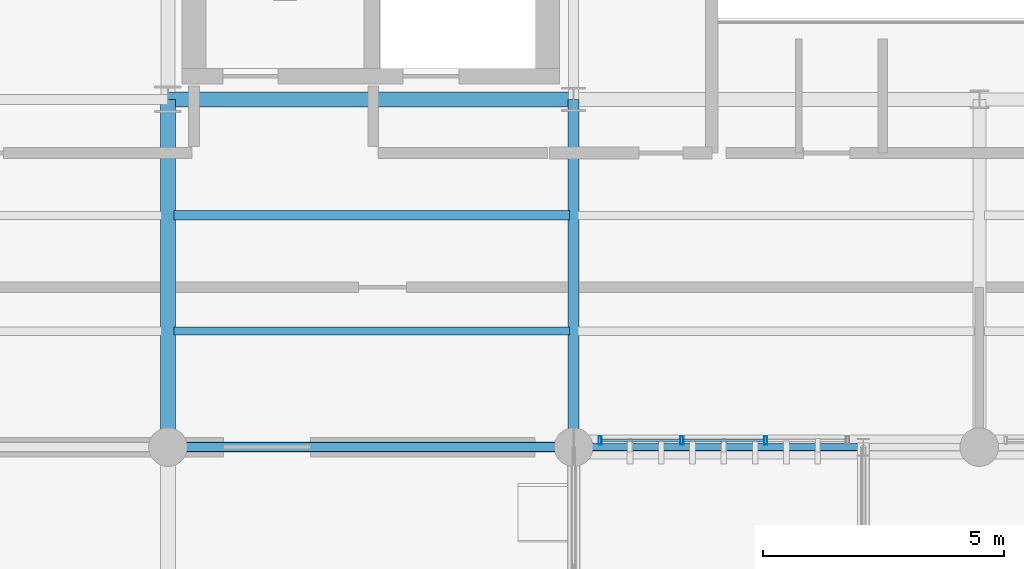
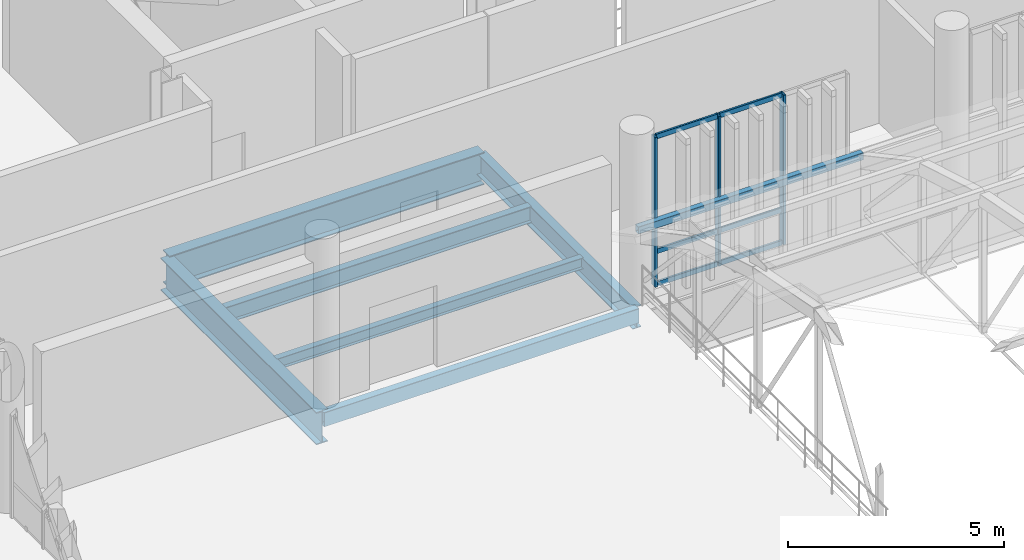
# One storey, part 38 of 109: 10 members, 6 beams, 1 element without a shape of its own.
"""IFC4 building model written with IfcOpenShell, lengths in metres."""

from ifc_helpers import new_model, si_unit, direction, frame, origin_with_axes, origin_2d_with_axis, place, context, subcontext, project, spatial, hollow_rectangle, i_section, extrude, material, material_profile, profile_set, type_object, element, aggregate, save


model = new_model("IFC4")

# Units and contexts
model_context = context("Model", 3, precision=1e-05, world=origin_with_axes(), true_north=direction((0.0, 1.0)))
body_context = subcontext(model_context, "Body", "Model", "MODEL_VIEW")
ifc_project = project(units=[si_unit("LENGTHUNIT", "METRE"), si_unit("AREAUNIT", "SQUARE_METRE"), si_unit("VOLUMEUNIT", "CUBIC_METRE"), si_unit("PLANEANGLEUNIT", "RADIAN"), si_unit("MASSUNIT", "GRAM", prefix="KILO"), si_unit("THERMODYNAMICTEMPERATUREUNIT", "KELVIN")], contexts=[model_context])

# Site, building, storey
site_placement = place(None, origin_with_axes())
site = spatial("IfcSite", under=ifc_project, at=site_placement, CompositionType="ELEMENT")
building_placement = place(site_placement, origin_with_axes())
building = spatial("IfcBuilding", under=site, at=building_placement, Name="Montbau Bow Law Courts", CompositionType="ELEMENT")
storey_placement = place(building_placement, frame((0.0, 0.0, 10.8), z_axis=(0.0, 0.0, 1.0), x_axis=(1.0, 0.0, 0.0)))
storey = spatial("IfcBuildingStorey", under=building, at=storey_placement, Name="L02", CompositionType="ELEMENT", Elevation=10.8)

# Beams
ifc_material_1 = material(Name="Steel CSA G40.21 Grade 350W (350 MPa)", Category="steel")
ifc_material_profile_1 = material_profile(ifc_material_1, i_section(OverallWidth=0.306, OverallDepth=0.919, WebThickness=0.0173, FlangeThickness=0.0279, at=origin_2d_with_axis()), Name="W920X253", Category="Main", Priority=0)
ifc_profile_set_1 = profile_set([ifc_material_profile_1], Name="Steel CSA G40.21 Grade 350W (350 MPa)")
beam_type_1 = type_object("IfcBeamType", Name="B-FLR-01", PredefinedType="BEAM", material=ifc_profile_set_1)
beam_1_placement = place(None, frame((55.2, 46.2, 10.101), z_axis=(1.0, 0.0, 0.0), x_axis=(0.0, 1.0, 0.0)))
element("IfcBeam", 1, at=beam_1_placement, inside=storey, type_object=beam_type_1, Name="BM-L02-S0840:bm2_0843", PredefinedType="BEAM", context=body_context, shape_type="SweptSolid", body=[
    extrude(i_section(OverallWidth=0.306, OverallDepth=0.919, WebThickness=0.0173, FlangeThickness=0.0279, at=origin_2d_with_axis()), origin_with_axes(), (0.0, 0.0, 1.0), 8.4),
])
beam_2_placement = place(None, frame((55.2, 39.0, 10.021), z_axis=(0.0, 1.0, 0.0), x_axis=(-1.0, 0.0, 0.0)))
element("IfcBeam", 2, at=beam_2_placement, inside=storey, type_object=beam_type_1, Name="BM-L02-S0858:bm2_0861", PredefinedType="BEAM", context=body_context, shape_type="SweptSolid", body=[
    extrude(i_section(OverallWidth=0.306, OverallDepth=0.919, WebThickness=0.0173, FlangeThickness=0.0279, at=origin_2d_with_axis()), origin_with_axes(), (0.0, 0.0, 1.0), 7.2),
])
ifc_material_profile_2 = material_profile(ifc_material_1, i_section(OverallWidth=0.229, OverallDepth=0.612, WebThickness=0.0119, FlangeThickness=0.0196, at=origin_2d_with_axis()), Name="W610X125", Category="Main", Priority=0)
ifc_profile_set_2 = profile_set([ifc_material_profile_2], Name="Steel CSA G40.21 Grade 350W (350 MPa)")
beam_type_2 = type_object("IfcBeamType", Name="B-FLR-05", PredefinedType="BEAM", material=ifc_profile_set_2)
beam_3_placement = place(None, frame((63.6, 39.0, 10.174), z_axis=(0.0, 1.0, 0.0), x_axis=(-1.0, 0.0, 0.0)))
element("IfcBeam", 3, at=beam_3_placement, inside=storey, type_object=beam_type_2, Name="BM-L02-S0861:bm2_0864", PredefinedType="BEAM", context=body_context, shape_type="SweptSolid", body=[
    extrude(i_section(OverallWidth=0.229, OverallDepth=0.612, WebThickness=0.0119, FlangeThickness=0.0196, at=origin_2d_with_axis()), origin_with_axes(), (0.0, 0.0, 1.0), 7.2),
])
ifc_material_profile_3 = material_profile(ifc_material_1, i_section(OverallWidth=0.191, OverallDepth=0.46, WebThickness=0.0099, FlangeThickness=0.016, at=origin_2d_with_axis()), Name="W460X82", Category="Main", Priority=0)
ifc_profile_set_3 = profile_set([ifc_material_profile_3], Name="Steel CSA G40.21 Grade 350W (350 MPa)")
beam_type_3 = type_object("IfcBeamType", Name="B-JST-01", PredefinedType="JOIST", material=ifc_profile_set_3)
beam_4_placement = place(None, frame((55.329, 43.8, 10.25), z_axis=(1.0, 0.0, 0.0), x_axis=(0.0, 1.0, 0.0)))
element("IfcBeam", 4, at=beam_4_placement, inside=storey, type_object=beam_type_3, Name="JST-L02-S0440:jst2_0440", PredefinedType="JOIST", context=body_context, shape_type="SweptSolid", body=[
    extrude(i_section(OverallWidth=0.191, OverallDepth=0.46, WebThickness=0.0099, FlangeThickness=0.016, at=origin_2d_with_axis()), origin_with_axes(), (0.0, 0.0, 1.0), 8.181),
])
ifc_material_profile_4 = material_profile(ifc_material_1, i_section(OverallWidth=0.166, OverallDepth=0.313, WebThickness=0.0066, FlangeThickness=0.0112, at=origin_2d_with_axis()), Name="W310X45", Category="Main", Priority=0)
ifc_profile_set_4 = profile_set([ifc_material_profile_4], Name="Steel CSA G40.21 Grade 350W (350 MPa)")
beam_type_4 = type_object("IfcBeamType", Name="B-JST-04", PredefinedType="JOIST", material=ifc_profile_set_4)
beam_5_placement = place(None, frame((55.329, 41.4, 10.324), z_axis=(1.0, 0.0, 0.0), x_axis=(0.0, 1.0, 0.0)))
element("IfcBeam", 5, at=beam_5_placement, inside=storey, type_object=beam_type_4, Name="JST-L02-S0439:jst2_0439", PredefinedType="JOIST", context=body_context, shape_type="SweptSolid", body=[
    extrude(i_section(OverallWidth=0.166, OverallDepth=0.313, WebThickness=0.0066, FlangeThickness=0.0112, at=origin_2d_with_axis()), origin_with_axes(), (0.0, 0.0, 1.0), 8.181),
])
ifc_material_2 = material(Name="Steel CSA G40.21 Grade 350WT (350 MPa)", Category="steel")
ifc_material_profile_5 = material_profile(ifc_material_2, hollow_rectangle(XDim=0.203, YDim=0.406, WallThickness=0.0127, InnerFilletRadius=0.0254, OuterFilletRadius=0.0127, at=origin_2d_with_axis()), Name="HSS406X203X13", Category="Main", Priority=0)
ifc_profile_set_5 = profile_set([ifc_material_profile_5], Name="Steel CSA G40.21 Grade 350WT (350 MPa)")
beam_type_5 = type_object("IfcBeamType", Name="B-SPN-01", PredefinedType="SPANDREL", material=ifc_profile_set_5)
beam_6_placement = place(None, frame((55.2, 39.0, 10.277), z_axis=(1.0, 0.0, 0.0), x_axis=(0.0, 1.0, 0.0)))
element("IfcBeam", 6, at=beam_6_placement, inside=storey, type_object=beam_type_5, Name="SPN-L02-S0471:bm2_0474", PredefinedType="SPANDREL", context=body_context, shape_type="SweptSolid", body=[
    extrude(hollow_rectangle(XDim=0.203, YDim=0.406, WallThickness=0.0127, InnerFilletRadius=0.0254, OuterFilletRadius=0.0127, at=origin_2d_with_axis()), origin_with_axes(), (0.0, 0.0, 1.0), 8.4),
])

# Curtain wall, members
ifc_material_3 = material(Name="Thermally Broken Extruded Aluminium AA 6063-T6", Category="aluminium")
curtain_wall_type = type_object("IfcCurtainWallType", Name="CW-CRM-01", PredefinedType="NOTDEFINED", material=ifc_material_3)
curtain_wall_placement = place(None, frame((64.115, 39.14, 10.8), z_axis=(0.0, 0.0, 1.0), x_axis=(1.0, 0.0, 0.0)))
curtain_wall = element("IfcCurtainWall", 7, at=curtain_wall_placement, inside=storey, type_object=curtain_wall_type, Name="CW-L02-157:cw_0157", PredefinedType="NOTDEFINED")
ifc_material_profile_6 = material_profile(ifc_material_3, hollow_rectangle(XDim=0.065, YDim=0.18, WallThickness=0.005, InnerFilletRadius=0.01, OuterFilletRadius=0.005, at=origin_2d_with_axis()), Name="CWM-180X65", Category="Main", Priority=0)
ifc_profile_set_6 = profile_set([ifc_material_profile_6], Name="Thermally Broken Extruded Aluminium AA 6063-T6")
member_type_1 = type_object("IfcMemberType", Name="M-MUL-02", PredefinedType="MULLION", material=ifc_profile_set_6)
member_1_placement = place(None, frame((64.148, 39.14, 10.8), z_axis=(0.0, 0.0, 1.0), x_axis=(1.0, 0.0, 0.0)))
member_1 = element("IfcMember", 8, at=member_1_placement, type_object=member_type_1, Name="CW-L02-157-M01:cw_0157_M01", PredefinedType="MULLION", context=body_context, shape_type="SweptSolid", body=[
    extrude(hollow_rectangle(XDim=0.065, YDim=0.18, WallThickness=0.005, InnerFilletRadius=0.01, OuterFilletRadius=0.005, at=origin_2d_with_axis()), origin_with_axes(), (0.0, 0.0, 1.0), 4.22),
])
member_2_placement = place(None, frame((65.844, 39.14, 10.8), z_axis=(0.0, 0.0, 1.0), x_axis=(1.0, 0.0, 0.0)))
member_2 = element("IfcMember", 9, at=member_2_placement, type_object=member_type_1, Name="CW-L02-157-M02:cw_0157_M02", PredefinedType="MULLION", context=body_context, shape_type="SweptSolid", body=[
    extrude(hollow_rectangle(XDim=0.065, YDim=0.18, WallThickness=0.005, InnerFilletRadius=0.01, OuterFilletRadius=0.005, at=origin_2d_with_axis()), origin_with_axes(), (0.0, 0.0, 1.0), 4.22),
])
member_3_placement = place(None, frame((67.574, 39.14, 10.8), z_axis=(0.0, 0.0, 1.0), x_axis=(1.0, 0.0, 0.0)))
member_3 = element("IfcMember", 10, at=member_3_placement, type_object=member_type_1, Name="CW-L02-157-M03:cw_0157_M03", PredefinedType="MULLION", context=body_context, shape_type="SweptSolid", body=[
    extrude(hollow_rectangle(XDim=0.065, YDim=0.18, WallThickness=0.005, InnerFilletRadius=0.01, OuterFilletRadius=0.005, at=origin_2d_with_axis()), origin_with_axes(), (0.0, 0.0, 1.0), 4.22),
])

# Member
ifc_material_profile_7 = material_profile(ifc_material_2, hollow_rectangle(XDim=0.152, YDim=0.203, WallThickness=0.0095, InnerFilletRadius=0.019, OuterFilletRadius=0.0095, at=origin_2d_with_axis()), Name="HSS203X152X9.5", Category="Main", Priority=0)
ifc_profile_set_7 = profile_set([ifc_material_profile_7], Name="Steel CSA G40.21 Grade 350WT (350 MPa)")
member_type_2 = type_object("IfcMemberType", Name="M-PUR-01", PredefinedType="PURLIN", material=ifc_profile_set_7)
member_4_placement = place(None, frame((63.6, 39.0, 12.658), z_axis=(1.0, 0.0, 0.0), x_axis=(0.0, 1.0, 0.0)))
element("IfcMember", 11, at=member_4_placement, inside=storey, type_object=member_type_2, Name="Barrel vault roof truss purlin V4-056", PredefinedType="PURLIN", context=body_context, shape_type="SweptSolid", body=[
    extrude(hollow_rectangle(XDim=0.152, YDim=0.203, WallThickness=0.0095, InnerFilletRadius=0.019, OuterFilletRadius=0.0095, at=origin_2d_with_axis()), origin_with_axes(), (0.0, 0.0, 1.0), 6.0),
])

ifc_material_profile_8 = material_profile(ifc_material_3, hollow_rectangle(XDim=0.055, YDim=0.14, WallThickness=0.004, InnerFilletRadius=0.008, OuterFilletRadius=0.004, at=origin_2d_with_axis()), Name="CWT-140X55", Category="Main", Priority=0)
ifc_profile_set_8 = profile_set([ifc_material_profile_8], Name="Thermally Broken Extruded Aluminium AA 6063-T6")
member_type_3 = type_object("IfcMemberType", Name="M-TRN-02", PredefinedType="USERDEFINED", material=ifc_profile_set_8)
member_5_placement = place(None, frame((64.183, 39.14, 10.828), z_axis=(1.0, 0.0, 0.0), x_axis=(0.0, 1.0, 0.0)))
member_5 = element("IfcMember", 12, at=member_5_placement, type_object=member_type_3, Name="CW-L02-157-T01-1:cw_0157_T01_1", ObjectType="TRANSOM", PredefinedType="USERDEFINED", context=body_context, shape_type="SweptSolid", body=[
    extrude(hollow_rectangle(XDim=0.055, YDim=0.14, WallThickness=0.004, InnerFilletRadius=0.008, OuterFilletRadius=0.004, at=origin_2d_with_axis()), origin_with_axes(), (0.0, 0.0, 1.0), 1.627),
])

member_6_placement = place(None, frame((64.183, 39.14, 11.75), z_axis=(1.0, 0.0, 0.0), x_axis=(0.0, 1.0, 0.0)))
member_6 = element("IfcMember", 13, at=member_6_placement, type_object=member_type_3, Name="CW-L02-157-T01-2:cw_0157_T01_2", ObjectType="TRANSOM", PredefinedType="USERDEFINED", context=body_context, shape_type="SweptSolid", body=[
    extrude(hollow_rectangle(XDim=0.055, YDim=0.14, WallThickness=0.004, InnerFilletRadius=0.008, OuterFilletRadius=0.004, at=origin_2d_with_axis()), origin_with_axes(), (0.0, 0.0, 1.0), 1.627),
])

member_7_placement = place(None, frame((64.183, 39.14, 14.992), z_axis=(1.0, 0.0, 0.0), x_axis=(0.0, 1.0, 0.0)))
member_7 = element("IfcMember", 14, at=member_7_placement, type_object=member_type_3, Name="CW-L02-157-T01-3:cw_0157_T01_3", ObjectType="TRANSOM", PredefinedType="USERDEFINED", context=body_context, shape_type="SweptSolid", body=[
    extrude(hollow_rectangle(XDim=0.055, YDim=0.14, WallThickness=0.004, InnerFilletRadius=0.008, OuterFilletRadius=0.004, at=origin_2d_with_axis()), origin_with_axes(), (0.0, 0.0, 1.0), 1.627),
])

member_8_placement = place(None, frame((65.879, 39.14, 10.828), z_axis=(1.0, 0.0, 0.0), x_axis=(0.0, 1.0, 0.0)))
member_8 = element("IfcMember", 15, at=member_8_placement, type_object=member_type_3, Name="CW-L02-157-T02-1:cw_0157_T02_1", ObjectType="TRANSOM", PredefinedType="USERDEFINED", context=body_context, shape_type="SweptSolid", body=[
    extrude(hollow_rectangle(XDim=0.055, YDim=0.14, WallThickness=0.004, InnerFilletRadius=0.008, OuterFilletRadius=0.004, at=origin_2d_with_axis()), origin_with_axes(), (0.0, 0.0, 1.0), 1.661),
])

member_9_placement = place(None, frame((65.879, 39.14, 11.75), z_axis=(1.0, 0.0, 0.0), x_axis=(0.0, 1.0, 0.0)))
member_9 = element("IfcMember", 16, at=member_9_placement, type_object=member_type_3, Name="CW-L02-157-T02-2:cw_0157_T02_2", ObjectType="TRANSOM", PredefinedType="USERDEFINED", context=body_context, shape_type="SweptSolid", body=[
    extrude(hollow_rectangle(XDim=0.055, YDim=0.14, WallThickness=0.004, InnerFilletRadius=0.008, OuterFilletRadius=0.004, at=origin_2d_with_axis()), origin_with_axes(), (0.0, 0.0, 1.0), 1.661),
])

member_10_placement = place(None, frame((65.879, 39.14, 14.992), z_axis=(1.0, 0.0, 0.0), x_axis=(0.0, 1.0, 0.0)))
member_10 = element("IfcMember", 17, at=member_10_placement, type_object=member_type_3, Name="CW-L02-157-T02-3:cw_0157_T02_3", ObjectType="TRANSOM", PredefinedType="USERDEFINED", context=body_context, shape_type="SweptSolid", body=[
    extrude(hollow_rectangle(XDim=0.055, YDim=0.14, WallThickness=0.004, InnerFilletRadius=0.008, OuterFilletRadius=0.004, at=origin_2d_with_axis()), origin_with_axes(), (0.0, 0.0, 1.0), 1.661),
])

aggregate(curtain_wall, [member_1, member_2, member_3, member_5, member_6, member_7, member_8, member_9, member_10])

save(model, "model.ifc")
